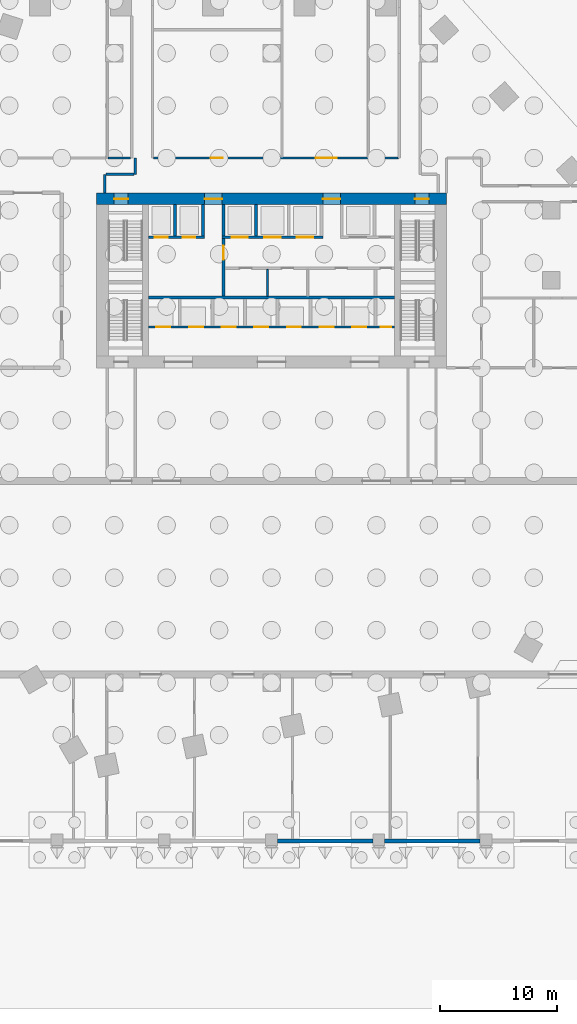
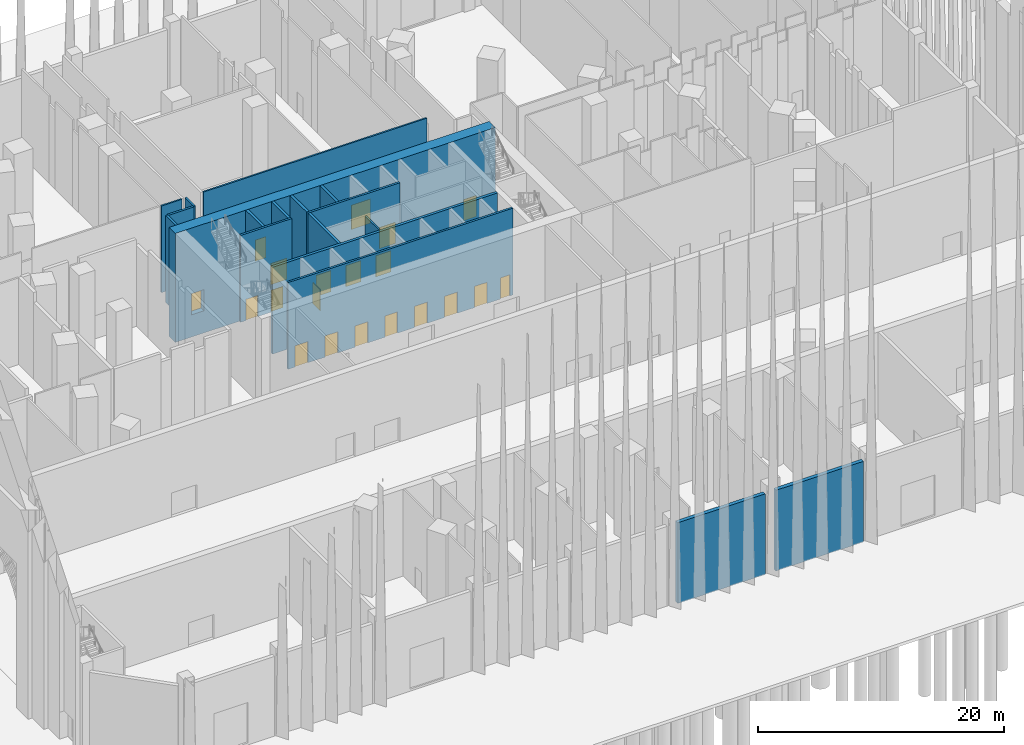
# One storey, part 10 of 32: 20 doors, 18 walls, 20 openings.
"""IFC4 building model written with IfcOpenShell, lengths in metres."""

from ifc_helpers import new_model, si_unit, direction, frame, frame_2d, origin, place, context, subcontext, project, spatial, rectangle, extrude, material, layer, layer_set, type_object, element, fill, save


model = new_model("IFC4")

# Units and contexts
model_context = context("Model", 3, precision=1e-05, world=origin(), true_north=direction((0.0, 1.0)))
body_context = subcontext(model_context, "Body", "Model", "MODEL_VIEW")
ifc_project = project(units=[si_unit("LENGTHUNIT", "METRE"), si_unit("AREAUNIT", "SQUARE_METRE"), si_unit("VOLUMEUNIT", "CUBIC_METRE"), si_unit("PLANEANGLEUNIT", "RADIAN"), si_unit("MASSUNIT", "GRAM", prefix="KILO")], contexts=[model_context])

# Site, building, storey
site_placement = place(None, origin())
site = spatial("IfcSite", under=ifc_project, at=site_placement, CompositionType="ELEMENT")
building_placement = place(site_placement, origin())
building = spatial("IfcBuilding", under=site, at=building_placement, Name="Isthmus Gate Tower", CompositionType="ELEMENT")
storey_placement = place(building_placement, origin())
storey = spatial("IfcBuildingStorey", under=building, at=storey_placement, Name="L00", CompositionType="ELEMENT", Elevation=0.0)

# Wall, opening, door
ifc_material_1 = material(Name="Fire-rated blockwork masonry, 15 MPa", Category="masonry")
ifc_layer_1 = layer(ifc_material_1, 0.25)
ifc_layer_set_1 = layer_set([ifc_layer_1], Name="FIRE-FIGHTING LOBBY WALL 250 90 MIN")
wall_type_1 = type_object("IfcWallType", Name="FIRE-FIGHTING LOBBY WALL 250 90 MIN", PredefinedType="PARTITIONING", material=ifc_layer_set_1)
wall_1_placement = place(storey_placement, frame((-4.125, 6.14990234375, 0.0), z_axis=(0.0, 0.0, 1.0), x_axis=(0.0, 1.0, 0.0)))
wall_1 = element("IfcWall", 1, at=wall_1_placement, inside=storey, type_object=wall_type_1, Name="L00 FIRE-FIGHTING LOBBY WALL 250 90 MIN", PredefinedType="PARTITIONING", context=body_context, shape_type="SweptSolid", body=[
    extrude(rectangle(XDim=4.9501953125, YDim=0.25, at=frame_2d((2.47509765625, 0.0))), origin(), (0.0, 0.0, 1.0), 8.60009765625),
])
opening_1_placement = place(wall_1_placement, frame((3.125, 0.0, 0.0)))
opening_1 = element("IfcOpeningElement", 2, at=opening_1_placement, cuts=wall_1, Name="Opening DC-A01-01", PredefinedType="OPENING", context=body_context, shape_type="SweptSolid", body=[
    extrude(rectangle(XDim=1.199951171875, YDim=2.10009765625, at=frame_2d((0.60009765625, 1.050048828125))), frame((0.0, 0.135009765625, 0.0), z_axis=(0.0, -1.0, 0.0), x_axis=(1.0, 0.0, 0.0)), (0.0, 0.0, 1.0), 0.27001953125),
])
ifc_material_2 = material(Name="Steel door leaf, fire-rated", Category="steel")
door_type_1 = type_object("IfcDoorType", Name="LOBBY FIRE DOOR 1200 X 2100 90 MIN", OperationType="DOUBLE_DOOR_SINGLE_SWING", PredefinedType="DOOR", material=ifc_material_2)
door_1_placement = place(opening_1_placement, origin())
door_1 = element("IfcDoor", 3, at=door_1_placement, inside=storey, type_object=door_type_1, Name="Fire-fighting Lobby Door", OperationType="SINGLE_SWING_LEFT", OverallHeight=2.10009765625, OverallWidth=1.199951171875, PredefinedType="DOOR", context=body_context, shape_type="SweptSolid", body=[
    extrude(rectangle(XDim=1.199951171875, YDim=2.10009765625, at=frame_2d((0.60009765625, 1.050048828125))), frame((0.0, 0.02490234375, 0.0), z_axis=(0.0, -1.0, 0.0), x_axis=(1.0, 0.0, 0.0)), (0.0, 0.0, 1.0), 0.050048828125),
])
fill(opening_1, door_1)

# Walls
ifc_material_3 = material(Name="Concrete f'c 30 MPa", Category="concrete")
ifc_layer_2 = layer(ifc_material_3, 0.199951171875)
ifc_layer_set_2 = layer_set([ifc_layer_2], Name="Fire-rated block wall 200")
wall_type_2 = type_object("IfcWallType", Name="Fire-rated block wall 200", PredefinedType="PARTITIONING", material=ifc_layer_set_2)
wall_2_placement = place(storey_placement, frame((-14.199951171875, 16.60009765625, 0.0), z_axis=(0.0, 0.0, 1.0), x_axis=(1.0, 0.0, 0.0)))
element("IfcWall", 4, at=wall_2_placement, inside=storey, type_object=wall_type_2, Name="Fire-rated wall", PredefinedType="PARTITIONING", context=body_context, shape_type="SweptSolid", body=[
    extrude(rectangle(XDim=2.39990234375, YDim=0.199951171875, at=frame_2d((1.199951171875, 0.0))), origin(), (0.0, 0.0, 1.0), 8.60009765625),
])
wall_3_placement = place(storey_placement, frame((-14.300048828125, 15.0, 0.0), z_axis=(0.0, 0.0, 1.0), x_axis=(0.0, 1.0, 0.0)))
element("IfcWall", 5, at=wall_3_placement, inside=storey, type_object=wall_type_2, Name="Fire-rated wall", PredefinedType="PARTITIONING", context=body_context, shape_type="SweptSolid", body=[
    extrude(rectangle(XDim=1.60009765625, YDim=0.199951171875, at=frame_2d((0.800048828125, 0.0))), origin(), (0.0, 0.0, 1.0), 8.60009765625),
])
wall_4_placement = place(storey_placement, frame((-11.699951171875, 16.60009765625, 0.0), z_axis=(0.0, 0.0, 1.0), x_axis=(0.0, 1.0, 0.0)))
element("IfcWall", 6, at=wall_4_placement, inside=storey, type_object=wall_type_2, Name="Fire-rated wall", PredefinedType="PARTITIONING", context=body_context, shape_type="SweptSolid", body=[
    extrude(rectangle(XDim=1.39990234375, YDim=0.199951171875, at=frame_2d((0.699951171875, 0.0))), origin(), (0.0, 0.0, 1.0), 8.60009765625),
])
ifc_material_4 = material(Name="Precast concrete C40/50, limestone-faced", Category="masonry")
ifc_layer_3 = layer(ifc_material_4, 0.35009765625)
ifc_layer_set_3 = layer_set([ifc_layer_3], Name="PODIUM CLADDING WALL 350")
wall_type_3 = type_object("IfcWallType", Name="PODIUM CLADDING WALL 350", PredefinedType="SOLIDWALL", material=ifc_layer_set_3)
for number, where, z_axis, x_axis, name in (
    (7, (0.5, -40.574951171875, -0.300048828125), (0.0, 0.0, 1.0), (1.0, 0.0, 0.0), "PODIUM WALL"),
    (8, (9.699951171875, -40.574951171875, -0.300048828125), (0.0, 0.0, 1.0), (1.0, 0.0, 0.0), "PODIUM WALL"),
):
    element("IfcWall", number, at=place(storey_placement, frame(where, z_axis=z_axis, x_axis=x_axis)), inside=storey, type_object=wall_type_3, Name=name, PredefinedType="SOLIDWALL", context=body_context, shape_type="SweptSolid", body=[
        extrude(rectangle(XDim=8.199951171875, YDim=0.35009765625, at=frame_2d((4.10009765625, 0.0))), origin(), (0.0, 0.0, 1.0), 8.0),
    ])
ifc_material_5 = material(Name="Gypsum board on cold-formed steel studs", Category="steel")
ifc_layer_4 = layer(ifc_material_5, 0.14990234375)
ifc_layer_set_4 = layer_set([ifc_layer_4])
wall_type_4 = type_object("IfcWallType", Name="Partition 150 gypsum board on steel studs", PredefinedType="PARTITIONING", material=ifc_layer_set_4)
wall_5_placement = place(storey_placement, frame((-14.02490234375, 18.0, 0.0), z_axis=(0.0, 0.0, 1.0), x_axis=(1.0, 0.0, 0.0)))
element("IfcWall", 9, at=wall_5_placement, inside=storey, type_object=wall_type_4, Name="Partition", PredefinedType="PARTITIONING", context=body_context, shape_type="SweptSolid", body=[
    extrude(rectangle(XDim=1.91796875, YDim=0.14990234375, at=frame_2d((0.958984375, 0.0))), origin(), (0.0, 0.0, 1.0), 8.60009765625),
])

# Wall, openings, doors
wall_6_placement = place(storey_placement, frame((-10.10693359375, 18.0, 0.0), z_axis=(0.0, 0.0, 1.0), x_axis=(1.0, 0.0, 0.0)))
wall_6 = element("IfcWall", 10, at=wall_6_placement, inside=storey, type_object=wall_type_4, Name="Partition", PredefinedType="PARTITIONING", context=body_context, shape_type="SweptSolid", body=[
    extrude(rectangle(XDim=20.95703125, YDim=0.14990234375, at=frame_2d((10.478515625, 0.0))), origin(), (0.0, 0.0, 1.0), 8.60009765625),
])
opening_2_placement = place(wall_6_placement, frame((13.906982421875, 0.0, 0.0)))
opening_2 = element("IfcOpeningElement", 11, at=opening_2_placement, cuts=wall_6, Name="Opening DP00-07", PredefinedType="OPENING", context=body_context, shape_type="SweptSolid", body=[
    extrude(rectangle(XDim=1.800048828125, YDim=2.39990234375, at=frame_2d((0.89990234375, 1.199951171875))), frame((0.0, 0.0849609375, 0.0), z_axis=(0.0, -1.0, 0.0), x_axis=(1.0, 0.0, 0.0)), (0.0, 0.0, 1.0), 0.169921875),
])
opening_3_placement = place(wall_6_placement, frame((4.89990234375, 0.0, 0.0)))
opening_3 = element("IfcOpeningElement", 12, at=opening_3_placement, cuts=wall_6, Name="Opening DP00-31", PredefinedType="OPENING", context=body_context, shape_type="SweptSolid", body=[
    extrude(rectangle(XDim=1.0, YDim=2.10009765625, at=frame_2d((0.5, 1.050048828125))), frame((0.0, 0.0849609375, 0.0), z_axis=(0.0, -1.0, 0.0), x_axis=(1.0, 0.0, 0.0)), (0.0, 0.0, 1.0), 0.169921875),
])
ifc_material_6 = material(Name="Hollow metal frame with solid-core timber leaves", Category="wood")
door_type_2 = type_object("IfcDoorType", Name="Double swing door 1800 x 2400", OperationType="DOUBLE_DOOR_SINGLE_SWING", PredefinedType="DOOR", material=ifc_material_6)
door_2_placement = place(opening_2_placement, origin())
door_2 = element("IfcDoor", 13, at=door_2_placement, inside=storey, type_object=door_type_2, Name="Door DP00-07", OperationType="SINGLE_SWING_LEFT", OverallHeight=2.39990234375, OverallWidth=1.800048828125, PredefinedType="DOOR", context=body_context, shape_type="SweptSolid", body=[
    extrude(rectangle(XDim=1.800048828125, YDim=2.39990234375, at=frame_2d((0.89990234375, 1.199951171875))), frame((0.0, 0.02490234375, 0.0), z_axis=(0.0, -1.0, 0.0), x_axis=(1.0, 0.0, 0.0)), (0.0, 0.0, 1.0), 0.050048828125),
])
fill(opening_2, door_2)
ifc_material_7 = material(Name="Hollow metal frame with solid-core timber leaf", Category="wood")
door_type_3 = type_object("IfcDoorType", Name="Single swing door 1000 x 2100", OperationType="SINGLE_SWING_LEFT", PredefinedType="DOOR", material=ifc_material_7)
door_3_placement = place(opening_3_placement, origin())
door_3 = element("IfcDoor", 14, at=door_3_placement, inside=storey, type_object=door_type_3, Name="Door DP00-31", OperationType="SINGLE_SWING_LEFT", OverallHeight=2.10009765625, OverallWidth=1.0, PredefinedType="DOOR", context=body_context, shape_type="SweptSolid", body=[
    extrude(rectangle(XDim=1.0, YDim=2.10009765625, at=frame_2d((0.5, 1.050048828125))), frame((0.0, 0.02490234375, 0.0), z_axis=(0.0, -1.0, 0.0), x_axis=(1.0, 0.0, 0.0)), (0.0, 0.0, 1.0), 0.050048828125),
])
fill(opening_3, door_3)

ifc_material_8 = material(Name="Concrete f'c 70 MPa", Category="concrete")
ifc_layer_5 = layer(ifc_material_8, 1.0)
ifc_layer_set_5 = layer_set([ifc_layer_5], Name="RC CORE WALL 1000 F'C 70")
wall_type_5 = type_object("IfcWallType", Name="RC CORE WALL 1000 F'C 70", PredefinedType="SOLIDWALL", material=ifc_layer_set_5)
wall_7_placement = place(storey_placement, frame((-15.0, 14.5, -2.199951171875), z_axis=(0.0, 0.0, 1.0), x_axis=(1.0, 0.0, 0.0)))
wall_7 = element("IfcWall", 15, at=wall_7_placement, inside=storey, type_object=wall_type_5, Name="str-corewall-L00-N", PredefinedType="SOLIDWALL", context=body_context, shape_type="SweptSolid", body=[
    extrude(rectangle(XDim=30.0, YDim=1.0, at=frame_2d((15.0, 0.0))), origin(), (0.0, 0.0, 1.0), 10.800048828125),
])
opening_4_placement = place(wall_7_placement, frame((9.25, 0.0, 2.199951171875)))
opening_4 = element("IfcOpeningElement", 16, at=opening_4_placement, cuts=wall_7, Name="Opening DC-A01-11", PredefinedType="OPENING", context=body_context, shape_type="SweptSolid", body=[
    extrude(rectangle(XDim=1.5, YDim=2.10009765625, at=frame_2d((0.75, 1.050048828125))), frame((0.0, 0.510009765625, 0.0), z_axis=(0.0, -1.0, 0.0), x_axis=(1.0, 0.0, 0.0)), (0.0, 0.0, 1.0), 1.02001953125),
])
opening_5_placement = place(wall_7_placement, frame((19.39990234375, 0.0, 2.199951171875)))
opening_5 = element("IfcOpeningElement", 17, at=opening_5_placement, cuts=wall_7, Name="Opening DC-A01-12", PredefinedType="OPENING", context=body_context, shape_type="SweptSolid", body=[
    extrude(rectangle(XDim=1.5, YDim=2.10009765625, at=frame_2d((0.75, 1.050048828125))), frame((0.0, 0.510009765625, 0.0), z_axis=(0.0, -1.0, 0.0), x_axis=(1.0, 0.0, 0.0)), (0.0, 0.0, 1.0), 1.02001953125),
])
opening_6_placement = place(wall_7_placement, frame((1.5, 0.0, 2.199951171875)))
opening_6 = element("IfcOpeningElement", 18, at=opening_6_placement, cuts=wall_7, Name="Opening DC-A01-13", PredefinedType="OPENING", context=body_context, shape_type="SweptSolid", body=[
    extrude(rectangle(XDim=1.199951171875, YDim=2.10009765625, at=frame_2d((0.60009765625, 1.050048828125))), frame((0.0, 0.510009765625, 0.0), z_axis=(0.0, -1.0, 0.0), x_axis=(1.0, 0.0, 0.0)), (0.0, 0.0, 1.0), 1.02001953125),
])
opening_7_placement = place(wall_7_placement, frame((27.300048828125, 0.0, 2.199951171875)))
opening_7 = element("IfcOpeningElement", 19, at=opening_7_placement, cuts=wall_7, Name="Opening DC-A01-14", PredefinedType="OPENING", context=body_context, shape_type="SweptSolid", body=[
    extrude(rectangle(XDim=1.199951171875, YDim=2.10009765625, at=frame_2d((0.60009765625, 1.050048828125))), frame((0.0, 0.510009765625, 0.0), z_axis=(0.0, -1.0, 0.0), x_axis=(1.0, 0.0, 0.0)), (0.0, 0.0, 1.0), 1.02001953125),
])
ifc_material_9 = material(Name="Steel door leaf, fire-rated", Category="steel")
door_type_4 = type_object("IfcDoorType", Name="LOBBY FIRE DOOR 1500 X 2100 60 MIN", OperationType="DOUBLE_DOOR_SINGLE_SWING", PredefinedType="DOOR", material=ifc_material_9)
door_4_placement = place(opening_5_placement, origin())
door_4 = element("IfcDoor", 20, at=door_4_placement, inside=storey, type_object=door_type_4, Name="Lobby Door PN-E", OperationType="DOUBLE_DOOR_SINGLE_SWING", OverallHeight=2.10009765625, OverallWidth=1.5, PredefinedType="DOOR", context=body_context, shape_type="SweptSolid", body=[
    extrude(rectangle(XDim=1.5, YDim=2.10009765625, at=frame_2d((0.75, 1.050048828125))), frame((0.0, 0.02490234375, 0.0), z_axis=(0.0, -1.0, 0.0), x_axis=(1.0, 0.0, 0.0)), (0.0, 0.0, 1.0), 0.050048828125),
])
fill(opening_5, door_4)
ifc_material_10 = material(Name="Steel door leaf, fire-rated", Category="steel")
door_type_5 = type_object("IfcDoorType", Name="LOBBY FIRE DOOR 1500 X 2100 90 MIN", OperationType="DOUBLE_DOOR_SINGLE_SWING", PredefinedType="DOOR", material=ifc_material_10)
door_5_placement = place(opening_4_placement, origin())
door_5 = element("IfcDoor", 21, at=door_5_placement, inside=storey, type_object=door_type_5, Name="Lobby Door PN-W", OperationType="DOUBLE_DOOR_SINGLE_SWING", OverallHeight=2.10009765625, OverallWidth=1.5, PredefinedType="DOOR", context=body_context, shape_type="SweptSolid", body=[
    extrude(rectangle(XDim=1.5, YDim=2.10009765625, at=frame_2d((0.75, 1.050048828125))), frame((0.0, 0.02490234375, 0.0), z_axis=(0.0, -1.0, 0.0), x_axis=(1.0, 0.0, 0.0)), (0.0, 0.0, 1.0), 0.050048828125),
])
fill(opening_4, door_5)
ifc_material_11 = material(Name="Steel door leaf, fire-rated", Category="steel")
door_type_6 = type_object("IfcDoorType", Name="STAIR FIRE DOOR 1200 X 2100 90 MIN", OperationType="SINGLE_SWING_LEFT", PredefinedType="DOOR", material=ifc_material_11)
door_6_placement = place(opening_6_placement, origin())
door_6 = element("IfcDoor", 22, at=door_6_placement, inside=storey, type_object=door_type_6, Name="Exit Stair 1 Door", OperationType="SINGLE_SWING_RIGHT", OverallHeight=2.10009765625, OverallWidth=1.199951171875, PredefinedType="DOOR", context=body_context, shape_type="SweptSolid", body=[
    extrude(rectangle(XDim=1.199951171875, YDim=2.10009765625, at=frame_2d((0.60009765625, 1.050048828125))), frame((0.0, 0.02490234375, 0.0), z_axis=(0.0, -1.0, 0.0), x_axis=(1.0, 0.0, 0.0)), (0.0, 0.0, 1.0), 0.050048828125),
])
fill(opening_6, door_6)
door_7_placement = place(opening_7_placement, origin())
door_7 = element("IfcDoor", 23, at=door_7_placement, inside=storey, type_object=door_type_6, Name="Exit Stair 2 Door", OperationType="SINGLE_SWING_LEFT", OverallHeight=2.10009765625, OverallWidth=1.199951171875, PredefinedType="DOOR", context=body_context, shape_type="SweptSolid", body=[
    extrude(rectangle(XDim=1.199951171875, YDim=2.10009765625, at=frame_2d((0.60009765625, 1.050048828125))), frame((0.0, 0.02490234375, 0.0), z_axis=(0.0, -1.0, 0.0), x_axis=(1.0, 0.0, 0.0)), (0.0, 0.0, 1.0), 0.050048828125),
])
fill(opening_7, door_7)

# Wall
ifc_material_12 = material(Name="Gypsum board on steel studs, fire-rated", Category="steel")
ifc_layer_6 = layer(ifc_material_12, 0.14990234375)
ifc_layer_set_6 = layer_set([ifc_layer_6], Name="ROOM PARTITION 150 60 MIN")
wall_type_6 = type_object("IfcWallType", Name="ROOM PARTITION 150 60 MIN", PredefinedType="PARTITIONING", material=ifc_layer_set_6)
wall_8_placement = place(storey_placement, frame((-0.35009765625, 6.14990234375, 0.0), z_axis=(0.0, 0.0, 1.0), x_axis=(0.0, 1.0, 0.0)))
element("IfcWall", 24, at=wall_8_placement, inside=storey, type_object=wall_type_6, Name="L00 ROOM PARTITION 150 60 MIN", PredefinedType="PARTITIONING", context=body_context, shape_type="SweptSolid", body=[
    extrude(rectangle(XDim=2.300048828125, YDim=0.14990234375, at=frame_2d((1.14990234375, 0.0))), origin(), (0.0, 0.0, 1.0), 8.60009765625),
])

# Wall, openings, doors
ifc_material_13 = material(Name="Fire-rated blockwork masonry, 15 MPa", Category="masonry")
ifc_layer_7 = layer(ifc_material_13, 0.199951171875)
ifc_layer_set_7 = layer_set([ifc_layer_7], Name="SHAFT FRONT WALL 200 120 MIN")
wall_type_7 = type_object("IfcWallType", Name="SHAFT FRONT WALL 200 120 MIN", PredefinedType="PARTITIONING", material=ifc_layer_set_7)
wall_9_placement = place(storey_placement, frame((-10.550048828125, 3.5, 0.0), z_axis=(0.0, 0.0, 1.0), x_axis=(1.0, 0.0, 0.0)))
wall_9 = element("IfcWall", 25, at=wall_9_placement, inside=storey, type_object=wall_type_7, Name="L00 SHAFT FRONT WALL 200 120 MIN", PredefinedType="PARTITIONING", context=body_context, shape_type="SweptSolid", body=[
    extrude(rectangle(XDim=21.10009765625, YDim=0.199951171875, at=frame_2d((10.550048828125, 0.0))), origin(), (0.0, 0.0, 1.0), 8.60009765625),
])
opening_8_placement = place(wall_9_placement, frame((0.675048828125, 0.0, 0.0)))
opening_8 = element("IfcOpeningElement", 26, at=opening_8_placement, cuts=wall_9, Name="Opening LD-LA1", PredefinedType="OPENING", context=body_context, shape_type="SweptSolid", body=[
    extrude(rectangle(XDim=1.199951171875, YDim=2.10009765625, at=frame_2d((0.60009765625, 1.050048828125))), frame((0.0, 0.10986328125, 0.0), z_axis=(0.0, -1.0, 0.0), x_axis=(1.0, 0.0, 0.0)), (0.0, 0.0, 1.0), 0.219970703125),
])
opening_9_placement = place(wall_9_placement, frame((3.47509765625, 0.0, 0.0)))
opening_9 = element("IfcOpeningElement", 27, at=opening_9_placement, cuts=wall_9, Name="Opening LD-LA2", PredefinedType="OPENING", context=body_context, shape_type="SweptSolid", body=[
    extrude(rectangle(XDim=1.199951171875, YDim=2.10009765625, at=frame_2d((0.60009765625, 1.050048828125))), frame((0.0, 0.10986328125, 0.0), z_axis=(0.0, -1.0, 0.0), x_axis=(1.0, 0.0, 0.0)), (0.0, 0.0, 1.0), 0.219970703125),
])
opening_10_placement = place(wall_9_placement, frame((6.27490234375, 0.0, 0.0)))
opening_10 = element("IfcOpeningElement", 28, at=opening_10_placement, cuts=wall_9, Name="Opening LD-LA3", PredefinedType="OPENING", context=body_context, shape_type="SweptSolid", body=[
    extrude(rectangle(XDim=1.199951171875, YDim=2.10009765625, at=frame_2d((0.60009765625, 1.050048828125))), frame((0.0, 0.10986328125, 0.0), z_axis=(0.0, -1.0, 0.0), x_axis=(1.0, 0.0, 0.0)), (0.0, 0.0, 1.0), 0.219970703125),
])
opening_11_placement = place(wall_9_placement, frame((9.074951171875, 0.0, 0.0)))
opening_11 = element("IfcOpeningElement", 29, at=opening_11_placement, cuts=wall_9, Name="Opening LD-LA4", PredefinedType="OPENING", context=body_context, shape_type="SweptSolid", body=[
    extrude(rectangle(XDim=1.199951171875, YDim=2.10009765625, at=frame_2d((0.60009765625, 1.050048828125))), frame((0.0, 0.10986328125, 0.0), z_axis=(0.0, -1.0, 0.0), x_axis=(1.0, 0.0, 0.0)), (0.0, 0.0, 1.0), 0.219970703125),
])
opening_12_placement = place(wall_9_placement, frame((11.875, 0.0, 0.0)))
opening_12 = element("IfcOpeningElement", 30, at=opening_12_placement, cuts=wall_9, Name="Opening LD-LA5", PredefinedType="OPENING", context=body_context, shape_type="SweptSolid", body=[
    extrude(rectangle(XDim=1.199951171875, YDim=2.10009765625, at=frame_2d((0.60009765625, 1.050048828125))), frame((0.0, 0.10986328125, 0.0), z_axis=(0.0, -1.0, 0.0), x_axis=(1.0, 0.0, 0.0)), (0.0, 0.0, 1.0), 0.219970703125),
])
opening_13_placement = place(wall_9_placement, frame((14.675048828125, 0.0, 0.0)))
opening_13 = element("IfcOpeningElement", 31, at=opening_13_placement, cuts=wall_9, Name="Opening LD-LA6", PredefinedType="OPENING", context=body_context, shape_type="SweptSolid", body=[
    extrude(rectangle(XDim=1.199951171875, YDim=2.10009765625, at=frame_2d((0.60009765625, 1.050048828125))), frame((0.0, 0.10986328125, 0.0), z_axis=(0.0, -1.0, 0.0), x_axis=(1.0, 0.0, 0.0)), (0.0, 0.0, 1.0), 0.219970703125),
])
opening_14_placement = place(wall_9_placement, frame((17.47509765625, 0.0, 0.0)))
opening_14 = element("IfcOpeningElement", 32, at=opening_14_placement, cuts=wall_9, Name="Opening LD-LA7", PredefinedType="OPENING", context=body_context, shape_type="SweptSolid", body=[
    extrude(rectangle(XDim=1.199951171875, YDim=2.10009765625, at=frame_2d((0.60009765625, 1.050048828125))), frame((0.0, 0.10986328125, 0.0), z_axis=(0.0, -1.0, 0.0), x_axis=(1.0, 0.0, 0.0)), (0.0, 0.0, 1.0), 0.219970703125),
])
opening_15_placement = place(wall_9_placement, frame((19.89990234375, 0.0, 0.0)))
opening_15 = element("IfcOpeningElement", 33, at=opening_15_placement, cuts=wall_9, Name="Opening DC-A01-02", PredefinedType="OPENING", context=body_context, shape_type="SweptSolid", body=[
    extrude(rectangle(XDim=0.89990234375, YDim=2.10009765625, at=frame_2d((0.449951171875, 1.050048828125))), frame((0.0, 0.10986328125, 0.0), z_axis=(0.0, -1.0, 0.0), x_axis=(1.0, 0.0, 0.0)), (0.0, 0.0, 1.0), 0.219970703125),
])
ifc_material_14 = material(Name="Stainless steel sliding leaf", Category="steel")
door_type_7 = type_object("IfcDoorType", Name="LIFT LANDING FIRE DOOR 1200 X 2100 90 MIN", OperationType="DOUBLE_DOOR_SLIDING", PredefinedType="DOOR", material=ifc_material_14)
door_8_placement = place(opening_8_placement, origin())
door_8 = element("IfcDoor", 34, at=door_8_placement, inside=storey, type_object=door_type_7, Name="Lift Landing Door LA1", OperationType="DOUBLE_DOOR_SLIDING", OverallHeight=2.10009765625, OverallWidth=1.199951171875, PredefinedType="DOOR", context=body_context, shape_type="SweptSolid", body=[
    extrude(rectangle(XDim=1.199951171875, YDim=2.10009765625, at=frame_2d((0.60009765625, 1.050048828125))), frame((0.0, 0.02490234375, 0.0), z_axis=(0.0, -1.0, 0.0), x_axis=(1.0, 0.0, 0.0)), (0.0, 0.0, 1.0), 0.050048828125),
])
fill(opening_8, door_8)
door_9_placement = place(opening_9_placement, origin())
door_9 = element("IfcDoor", 35, at=door_9_placement, inside=storey, type_object=door_type_7, Name="Lift Landing Door LA2", OperationType="DOUBLE_DOOR_SLIDING", OverallHeight=2.10009765625, OverallWidth=1.199951171875, PredefinedType="DOOR", context=body_context, shape_type="SweptSolid", body=[
    extrude(rectangle(XDim=1.199951171875, YDim=2.10009765625, at=frame_2d((0.60009765625, 1.050048828125))), frame((0.0, 0.02490234375, 0.0), z_axis=(0.0, -1.0, 0.0), x_axis=(1.0, 0.0, 0.0)), (0.0, 0.0, 1.0), 0.050048828125),
])
fill(opening_9, door_9)
door_10_placement = place(opening_10_placement, origin())
door_10 = element("IfcDoor", 36, at=door_10_placement, inside=storey, type_object=door_type_7, Name="Lift Landing Door LA3", OperationType="DOUBLE_DOOR_SLIDING", OverallHeight=2.10009765625, OverallWidth=1.199951171875, PredefinedType="DOOR", context=body_context, shape_type="SweptSolid", body=[
    extrude(rectangle(XDim=1.199951171875, YDim=2.10009765625, at=frame_2d((0.60009765625, 1.050048828125))), frame((0.0, 0.02490234375, 0.0), z_axis=(0.0, -1.0, 0.0), x_axis=(1.0, 0.0, 0.0)), (0.0, 0.0, 1.0), 0.050048828125),
])
fill(opening_10, door_10)
door_11_placement = place(opening_11_placement, origin())
door_11 = element("IfcDoor", 37, at=door_11_placement, inside=storey, type_object=door_type_7, Name="Lift Landing Door LA4", OperationType="DOUBLE_DOOR_SLIDING", OverallHeight=2.10009765625, OverallWidth=1.199951171875, PredefinedType="DOOR", context=body_context, shape_type="SweptSolid", body=[
    extrude(rectangle(XDim=1.199951171875, YDim=2.10009765625, at=frame_2d((0.60009765625, 1.050048828125))), frame((0.0, 0.02490234375, 0.0), z_axis=(0.0, -1.0, 0.0), x_axis=(1.0, 0.0, 0.0)), (0.0, 0.0, 1.0), 0.050048828125),
])
fill(opening_11, door_11)
door_12_placement = place(opening_12_placement, origin())
door_12 = element("IfcDoor", 38, at=door_12_placement, inside=storey, type_object=door_type_7, Name="Lift Landing Door LA5", OperationType="DOUBLE_DOOR_SLIDING", OverallHeight=2.10009765625, OverallWidth=1.199951171875, PredefinedType="DOOR", context=body_context, shape_type="SweptSolid", body=[
    extrude(rectangle(XDim=1.199951171875, YDim=2.10009765625, at=frame_2d((0.60009765625, 1.050048828125))), frame((0.0, 0.02490234375, 0.0), z_axis=(0.0, -1.0, 0.0), x_axis=(1.0, 0.0, 0.0)), (0.0, 0.0, 1.0), 0.050048828125),
])
fill(opening_12, door_12)
door_13_placement = place(opening_13_placement, origin())
door_13 = element("IfcDoor", 39, at=door_13_placement, inside=storey, type_object=door_type_7, Name="Lift Landing Door LA6", OperationType="DOUBLE_DOOR_SLIDING", OverallHeight=2.10009765625, OverallWidth=1.199951171875, PredefinedType="DOOR", context=body_context, shape_type="SweptSolid", body=[
    extrude(rectangle(XDim=1.199951171875, YDim=2.10009765625, at=frame_2d((0.60009765625, 1.050048828125))), frame((0.0, 0.02490234375, 0.0), z_axis=(0.0, -1.0, 0.0), x_axis=(1.0, 0.0, 0.0)), (0.0, 0.0, 1.0), 0.050048828125),
])
fill(opening_13, door_13)
door_14_placement = place(opening_14_placement, origin())
door_14 = element("IfcDoor", 40, at=door_14_placement, inside=storey, type_object=door_type_7, Name="Lift Landing Door LA7", OperationType="DOUBLE_DOOR_SLIDING", OverallHeight=2.10009765625, OverallWidth=1.199951171875, PredefinedType="DOOR", context=body_context, shape_type="SweptSolid", body=[
    extrude(rectangle(XDim=1.199951171875, YDim=2.10009765625, at=frame_2d((0.60009765625, 1.050048828125))), frame((0.0, 0.02490234375, 0.0), z_axis=(0.0, -1.0, 0.0), x_axis=(1.0, 0.0, 0.0)), (0.0, 0.0, 1.0), 0.050048828125),
])
fill(opening_14, door_14)
ifc_material_15 = material(Name="Steel door leaf, fire-rated", Category="steel")
door_type_8 = type_object("IfcDoorType", Name="RISER FIRE DOOR 900 X 2100 90 MIN", OperationType="SINGLE_SWING_LEFT", PredefinedType="DOOR", material=ifc_material_15)
door_15_placement = place(opening_15_placement, origin())
door_15 = element("IfcDoor", 41, at=door_15_placement, inside=storey, type_object=door_type_8, Name="Riser Door", OperationType="SINGLE_SWING_RIGHT", OverallHeight=2.10009765625, OverallWidth=0.89990234375, PredefinedType="DOOR", context=body_context, shape_type="SweptSolid", body=[
    extrude(rectangle(XDim=0.89990234375, YDim=2.10009765625, at=frame_2d((0.449951171875, 1.050048828125))), frame((0.0, 0.02490234375, 0.0), z_axis=(0.0, -1.0, 0.0), x_axis=(1.0, 0.0, 0.0)), (0.0, 0.0, 1.0), 0.050048828125),
])
fill(opening_15, door_15)

wall_10_placement = place(storey_placement, frame((-10.550048828125, 11.199951171875, 0.0), z_axis=(0.0, 0.0, 1.0), x_axis=(1.0, 0.0, 0.0)))
wall_10 = element("IfcWall", 42, at=wall_10_placement, inside=storey, type_object=wall_type_7, Name="L00 SHAFT FRONT WALL 200 120 MIN", PredefinedType="PARTITIONING", context=body_context, shape_type="SweptSolid", body=[
    extrude(rectangle(XDim=4.800048828125, YDim=0.199951171875, at=frame_2d((2.39990234375, 0.0))), origin(), (0.0, 0.0, 1.0), 8.60009765625),
])
opening_16_placement = place(wall_10_placement, frame((0.52490234375, 0.0, 0.0)))
opening_16 = element("IfcOpeningElement", 43, at=opening_16_placement, cuts=wall_10, Name="Opening LD-LF1", PredefinedType="OPENING", context=body_context, shape_type="SweptSolid", body=[
    extrude(rectangle(XDim=1.10009765625, YDim=2.10009765625, at=frame_2d((0.550048828125, 1.050048828125))), frame((0.0, 0.10986328125, 0.0), z_axis=(0.0, -1.0, 0.0), x_axis=(1.0, 0.0, 0.0)), (0.0, 0.0, 1.0), 0.219970703125),
])
opening_17_placement = place(wall_10_placement, frame((2.925048828125, 0.0, 0.0)))
opening_17 = element("IfcOpeningElement", 44, at=opening_17_placement, cuts=wall_10, Name="Opening LD-LF2", PredefinedType="OPENING", context=body_context, shape_type="SweptSolid", body=[
    extrude(rectangle(XDim=1.10009765625, YDim=2.10009765625, at=frame_2d((0.550048828125, 1.050048828125))), frame((0.0, 0.10986328125, 0.0), z_axis=(0.0, -1.0, 0.0), x_axis=(1.0, 0.0, 0.0)), (0.0, 0.0, 1.0), 0.219970703125),
])
ifc_material_16 = material(Name="Stainless steel sliding leaf", Category="steel")
door_type_9 = type_object("IfcDoorType", Name="LIFT LANDING FIRE DOOR 1100 X 2100 90 MIN", OperationType="DOUBLE_DOOR_SLIDING", PredefinedType="DOOR", material=ifc_material_16)
door_16_placement = place(opening_16_placement, origin())
door_16 = element("IfcDoor", 45, at=door_16_placement, inside=storey, type_object=door_type_9, Name="Lift Landing Door LF1", OperationType="DOUBLE_DOOR_SLIDING", OverallHeight=2.10009765625, OverallWidth=1.10009765625, PredefinedType="DOOR", context=body_context, shape_type="SweptSolid", body=[
    extrude(rectangle(XDim=1.10009765625, YDim=2.10009765625, at=frame_2d((0.550048828125, 1.050048828125))), frame((0.0, 0.02490234375, 0.0), z_axis=(0.0, -1.0, 0.0), x_axis=(1.0, 0.0, 0.0)), (0.0, 0.0, 1.0), 0.050048828125),
])
fill(opening_16, door_16)
door_17_placement = place(opening_17_placement, origin())
door_17 = element("IfcDoor", 46, at=door_17_placement, inside=storey, type_object=door_type_9, Name="Lift Landing Door LF2", OperationType="DOUBLE_DOOR_SLIDING", OverallHeight=2.10009765625, OverallWidth=1.10009765625, PredefinedType="DOOR", context=body_context, shape_type="SweptSolid", body=[
    extrude(rectangle(XDim=1.10009765625, YDim=2.10009765625, at=frame_2d((0.550048828125, 1.050048828125))), frame((0.0, 0.02490234375, 0.0), z_axis=(0.0, -1.0, 0.0), x_axis=(1.0, 0.0, 0.0)), (0.0, 0.0, 1.0), 0.050048828125),
])
fill(opening_17, door_17)

wall_11_placement = place(storey_placement, frame((-4.25, 11.199951171875, 0.0), z_axis=(0.0, 0.0, 1.0), x_axis=(1.0, 0.0, 0.0)))
wall_11 = element("IfcWall", 47, at=wall_11_placement, inside=storey, type_object=wall_type_7, Name="L00 SHAFT FRONT WALL 200 120 MIN", PredefinedType="PARTITIONING", context=body_context, shape_type="SweptSolid", body=[
    extrude(rectangle(XDim=8.64990234375, YDim=0.199951171875, at=frame_2d((4.324951171875, 0.0))), origin(), (0.0, 0.0, 1.0), 8.60009765625),
])
opening_18_placement = place(wall_11_placement, frame((0.824951171875, 0.0, 0.0)))
opening_18 = element("IfcOpeningElement", 48, at=opening_18_placement, cuts=wall_11, Name="Opening LD-LV1", PredefinedType="OPENING", context=body_context, shape_type="SweptSolid", body=[
    extrude(rectangle(XDim=1.39990234375, YDim=2.10009765625, at=frame_2d((0.699951171875, 1.050048828125))), frame((0.0, 0.10986328125, 0.0), z_axis=(0.0, -1.0, 0.0), x_axis=(1.0, 0.0, 0.0)), (0.0, 0.0, 1.0), 0.219970703125),
])
opening_19_placement = place(wall_11_placement, frame((3.625, 0.0, 0.0)))
opening_19 = element("IfcOpeningElement", 49, at=opening_19_placement, cuts=wall_11, Name="Opening LD-LV2", PredefinedType="OPENING", context=body_context, shape_type="SweptSolid", body=[
    extrude(rectangle(XDim=1.39990234375, YDim=2.10009765625, at=frame_2d((0.699951171875, 1.050048828125))), frame((0.0, 0.10986328125, 0.0), z_axis=(0.0, -1.0, 0.0), x_axis=(1.0, 0.0, 0.0)), (0.0, 0.0, 1.0), 0.219970703125),
])
opening_20_placement = place(wall_11_placement, frame((6.425048828125, 0.0, 0.0)))
opening_20 = element("IfcOpeningElement", 50, at=opening_20_placement, cuts=wall_11, Name="Opening LD-LS1", PredefinedType="OPENING", context=body_context, shape_type="SweptSolid", body=[
    extrude(rectangle(XDim=1.39990234375, YDim=2.10009765625, at=frame_2d((0.699951171875, 1.050048828125))), frame((0.0, 0.10986328125, 0.0), z_axis=(0.0, -1.0, 0.0), x_axis=(1.0, 0.0, 0.0)), (0.0, 0.0, 1.0), 0.219970703125),
])
ifc_material_17 = material(Name="Stainless steel sliding leaf", Category="steel")
door_type_10 = type_object("IfcDoorType", Name="LIFT LANDING FIRE DOOR 1400 X 2100 90 MIN", OperationType="DOUBLE_DOOR_SLIDING", PredefinedType="DOOR", material=ifc_material_17)
door_18_placement = place(opening_18_placement, origin())
door_18 = element("IfcDoor", 51, at=door_18_placement, inside=storey, type_object=door_type_10, Name="Lift Landing Door LV1", OperationType="DOUBLE_DOOR_SLIDING", OverallHeight=2.10009765625, OverallWidth=1.39990234375, PredefinedType="DOOR", context=body_context, shape_type="SweptSolid", body=[
    extrude(rectangle(XDim=1.39990234375, YDim=2.10009765625, at=frame_2d((0.699951171875, 1.050048828125))), frame((0.0, 0.02490234375, 0.0), z_axis=(0.0, -1.0, 0.0), x_axis=(1.0, 0.0, 0.0)), (0.0, 0.0, 1.0), 0.050048828125),
])
fill(opening_18, door_18)
door_19_placement = place(opening_19_placement, origin())
door_19 = element("IfcDoor", 52, at=door_19_placement, inside=storey, type_object=door_type_10, Name="Lift Landing Door LV2", OperationType="DOUBLE_DOOR_SLIDING", OverallHeight=2.10009765625, OverallWidth=1.39990234375, PredefinedType="DOOR", context=body_context, shape_type="SweptSolid", body=[
    extrude(rectangle(XDim=1.39990234375, YDim=2.10009765625, at=frame_2d((0.699951171875, 1.050048828125))), frame((0.0, 0.02490234375, 0.0), z_axis=(0.0, -1.0, 0.0), x_axis=(1.0, 0.0, 0.0)), (0.0, 0.0, 1.0), 0.050048828125),
])
fill(opening_19, door_19)
door_20_placement = place(opening_20_placement, origin())
door_20 = element("IfcDoor", 53, at=door_20_placement, inside=storey, type_object=door_type_10, Name="Lift Landing Door LS1", OperationType="DOUBLE_DOOR_SLIDING", OverallHeight=2.10009765625, OverallWidth=1.39990234375, PredefinedType="DOOR", context=body_context, shape_type="SweptSolid", body=[
    extrude(rectangle(XDim=1.39990234375, YDim=2.10009765625, at=frame_2d((0.699951171875, 1.050048828125))), frame((0.0, 0.02490234375, 0.0), z_axis=(0.0, -1.0, 0.0), x_axis=(1.0, 0.0, 0.0)), (0.0, 0.0, 1.0), 0.050048828125),
])
fill(opening_20, door_20)

# Walls
ifc_material_18 = material(Name="Fire-rated blockwork masonry, 15 MPa", Category="masonry")
ifc_layer_8 = layer(ifc_material_18, 0.25)
ifc_layer_set_8 = layer_set([ifc_layer_8], Name="SHAFT WALL 250 120 MIN")
wall_type_8 = type_object("IfcWallType", Name="SHAFT WALL 250 120 MIN", PredefinedType="PARTITIONING", material=ifc_layer_set_8)
wall_12_placement = place(storey_placement, frame((-10.550048828125, 6.02490234375, 0.0), z_axis=(0.0, 0.0, 1.0), x_axis=(1.0, 0.0, 0.0)))
element("IfcWall", 54, at=wall_12_placement, inside=storey, type_object=wall_type_8, Name="L00 SHAFT WALL 250 120 MIN", PredefinedType="PARTITIONING", context=body_context, shape_type="SweptSolid", body=[
    extrude(rectangle(XDim=21.10009765625, YDim=0.25, at=frame_2d((10.550048828125, 0.0))), origin(), (0.0, 0.0, 1.0), 8.60009765625),
])
for number, where, z_axis, x_axis, name in (
    (55, (-8.27490234375, 11.300048828125, 0.0), (0.0, 0.0, 1.0), (0.0, 1.0, 0.0), "L00 SHAFT WALL 250 120 MIN"),
    (56, (-5.875, 11.300048828125, 0.0), (0.0, 0.0, 1.0), (0.0, 1.0, 0.0), "L00 SHAFT WALL 250 120 MIN"),
    (57, (-4.125, 11.300048828125, 0.0), (0.0, 0.0, 1.0), (0.0, 1.0, 0.0), "L00 SHAFT WALL 250 120 MIN"),
    (58, (-1.324951171875, 11.300048828125, 0.0), (0.0, 0.0, 1.0), (0.0, 1.0, 0.0), "L00 SHAFT WALL 250 120 MIN"),
):
    element("IfcWall", number, at=place(storey_placement, frame(where, z_axis=z_axis, x_axis=x_axis)), inside=storey, type_object=wall_type_8, Name=name, PredefinedType="PARTITIONING", context=body_context, shape_type="SweptSolid", body=[
        extrude(rectangle(XDim=2.699951171875, YDim=0.25, at=frame_2d((1.35009765625, 0.0))), origin(), (0.0, 0.0, 1.0), 8.60009765625),
    ])

save(model, "model.ifc")
